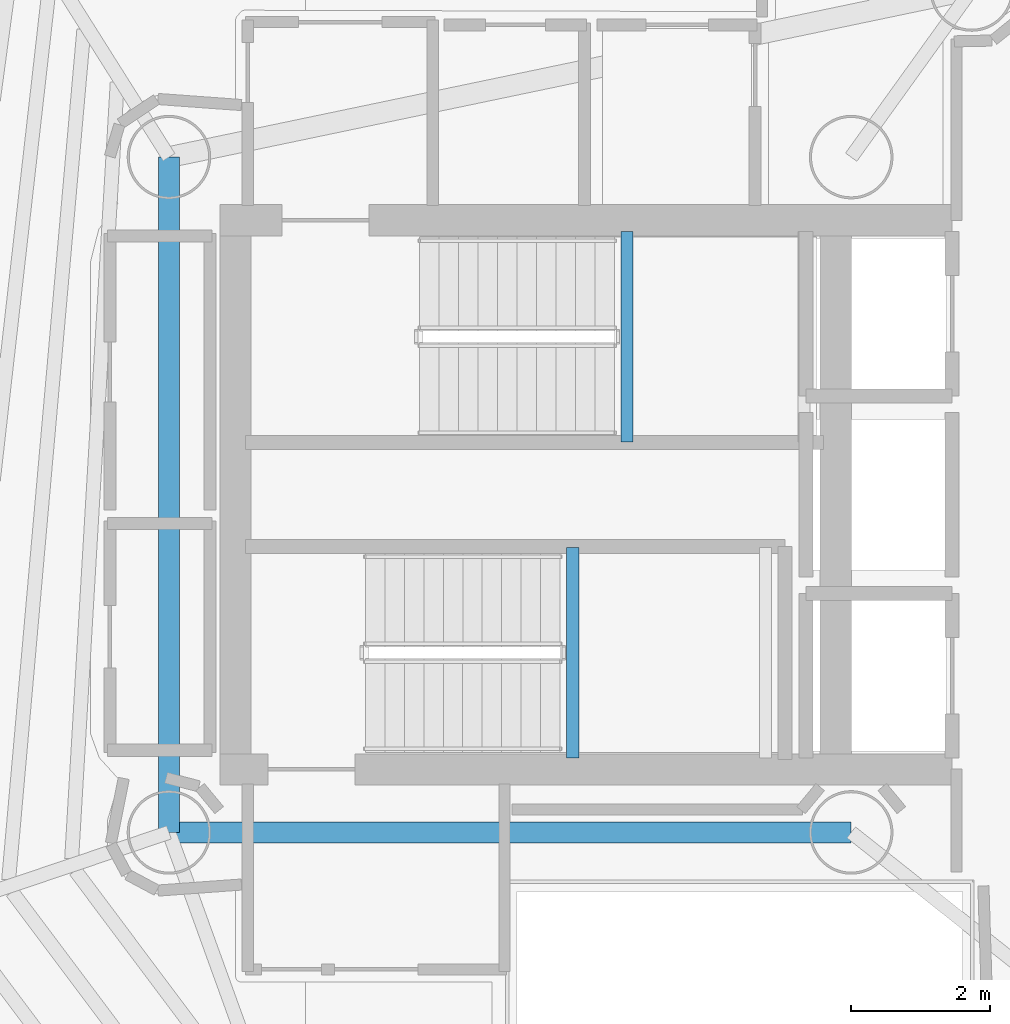
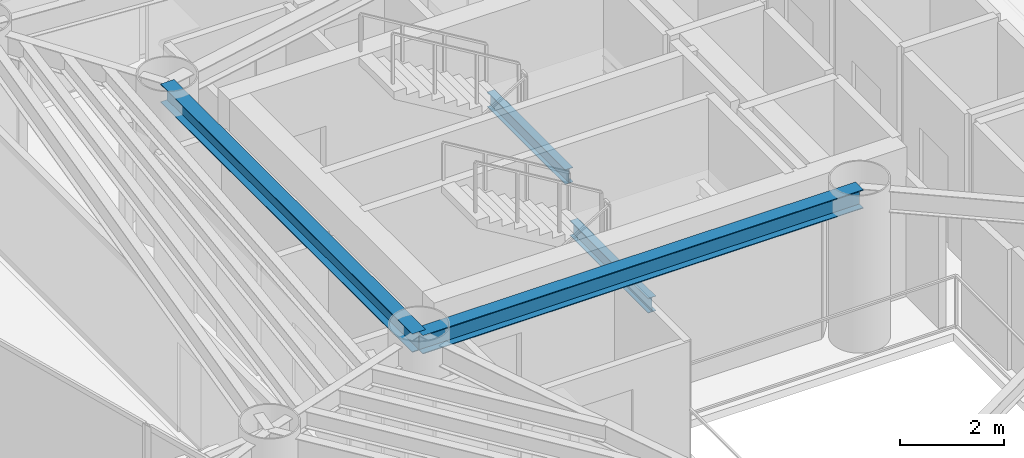
# One storey, part 8 of 21: 4 beams.
"""IFC4 building model written with IfcOpenShell, lengths in metres."""

from ifc_helpers import new_model, si_unit, direction, frame, origin, origin_2d, place, context, subcontext, project, spatial, i_section, extrude, material, material_profile, profile_set, type_object, element, save


model = new_model("IFC4")

# Units and contexts
model_context = context("Model", 3, precision=1e-05, world=origin(), true_north=direction((0.0, 1.0)))
body_context = subcontext(model_context, "Body", "Model", "MODEL_VIEW")
ifc_project = project(units=[si_unit("LENGTHUNIT", "METRE"), si_unit("AREAUNIT", "SQUARE_METRE"), si_unit("VOLUMEUNIT", "CUBIC_METRE"), si_unit("PLANEANGLEUNIT", "RADIAN"), si_unit("MASSUNIT", "GRAM", prefix="KILO")], contexts=[model_context])

# Site, building, storey
site_placement = place(None, origin())
site = spatial("IfcSite", under=ifc_project, at=site_placement, CompositionType="ELEMENT")
building_placement = place(site_placement, origin())
building = spatial("IfcBuilding", under=site, at=building_placement, Name="Qianvela Tower", CompositionType="ELEMENT")
storey_placement = place(building_placement, frame((0.0, 0.0, 211.39990234375)))
storey = spatial("IfcBuildingStorey", under=building, at=storey_placement, Name="L54", CompositionType="ELEMENT", Elevation=211.39990234375)

# Beams
ifc_material_1 = material(Name="Steel Q355B", Category="steel")
ifc_material_profile_1 = material_profile(ifc_material_1, i_section(OverallWidth=0.300048828125, OverallDepth=0.43994140625, WebThickness=0.010986328125, FlangeThickness=0.01806640625, at=origin_2d()), Name="HM440x300x11x18")
ifc_profile_set_1 = profile_set([ifc_material_profile_1], Name="Steel Q355B")
beam_type_1 = type_object("IfcBeamType", Name="BM-HM440-COLL", PredefinedType="BEAM", material=ifc_profile_set_1)
beam_1_placement = place(storey_placement, frame((28.60009765625, 23.85009765625, 3.298095703125), z_axis=(1.0, 0.0, 0.0), x_axis=(0.0, 1.0, 0.0)))
element("IfcBeam", 1, at=beam_1_placement, inside=storey, type_object=beam_type_1, Name="L54 Core Ring Collector Girder CC1", PredefinedType="BEAM", context=body_context, shape_type="SweptSolid", body=[
    extrude(i_section(OverallWidth=0.300048828125, OverallDepth=0.43994140625, WebThickness=0.010986328125, FlangeThickness=0.01806640625, at=origin_2d()), origin(), (0.0, 0.0, 1.0), 9.7998046875),
])
beam_2_placement = place(storey_placement, frame((28.60009765625, 33.550048828125, 3.298095703125), z_axis=(0.0, -1.0, 0.0), x_axis=(1.0, 0.0, 0.0)))
element("IfcBeam", 2, at=beam_2_placement, inside=storey, type_object=beam_type_1, Name="L54 Core Ring Collector Girder CC2", PredefinedType="BEAM", context=body_context, shape_type="SweptSolid", body=[
    extrude(i_section(OverallWidth=0.300048828125, OverallDepth=0.43994140625, WebThickness=0.010986328125, FlangeThickness=0.01806640625, at=origin_2d()), origin(), (0.0, 0.0, 1.0), 9.699951171875),
])
ifc_material_2 = material(Name="Steel Q355B", Category="steel")
ifc_material_profile_2 = material_profile(ifc_material_2, i_section(OverallWidth=0.175048828125, OverallDepth=0.35009765625, WebThickness=0.007080078125, FlangeThickness=0.010986328125, at=origin_2d()), Name="HN350x175x7x11")
ifc_profile_set_2 = profile_set([ifc_material_profile_2], Name="Steel Q355B")
beam_type_2 = type_object("IfcBeamType", Name="BM-HN350-JOIST", PredefinedType="JOIST", material=ifc_profile_set_2)
for number, where, z_axis, x_axis, name in (
    (3, (35.179931640625, 29.4599609375, 1.47509765625), (0.0, 1.0, 0.0), (-1.0, 0.0, 0.0), "L54 Stair ST-1 Landing Support Beam 1.1"),
    (4, (34.39990234375, 24.919921875, 1.47509765625), (0.0, 1.0, 0.0), (-1.0, 0.0, 0.0), "L54 Stair ST-2 Landing Support Beam 1.1"),
):
    element("IfcBeam", number, at=place(storey_placement, frame(where, z_axis=z_axis, x_axis=x_axis)), inside=storey, type_object=beam_type_2, Name=name, PredefinedType="JOIST", context=body_context, shape_type="SweptSolid", body=[
        extrude(i_section(OverallWidth=0.175048828125, OverallDepth=0.35009765625, WebThickness=0.007080078125, FlangeThickness=0.010986328125, at=origin_2d()), origin(), (0.0, 0.0, 1.0), 3.02001953125),
    ])

save(model, "model.ifc")
